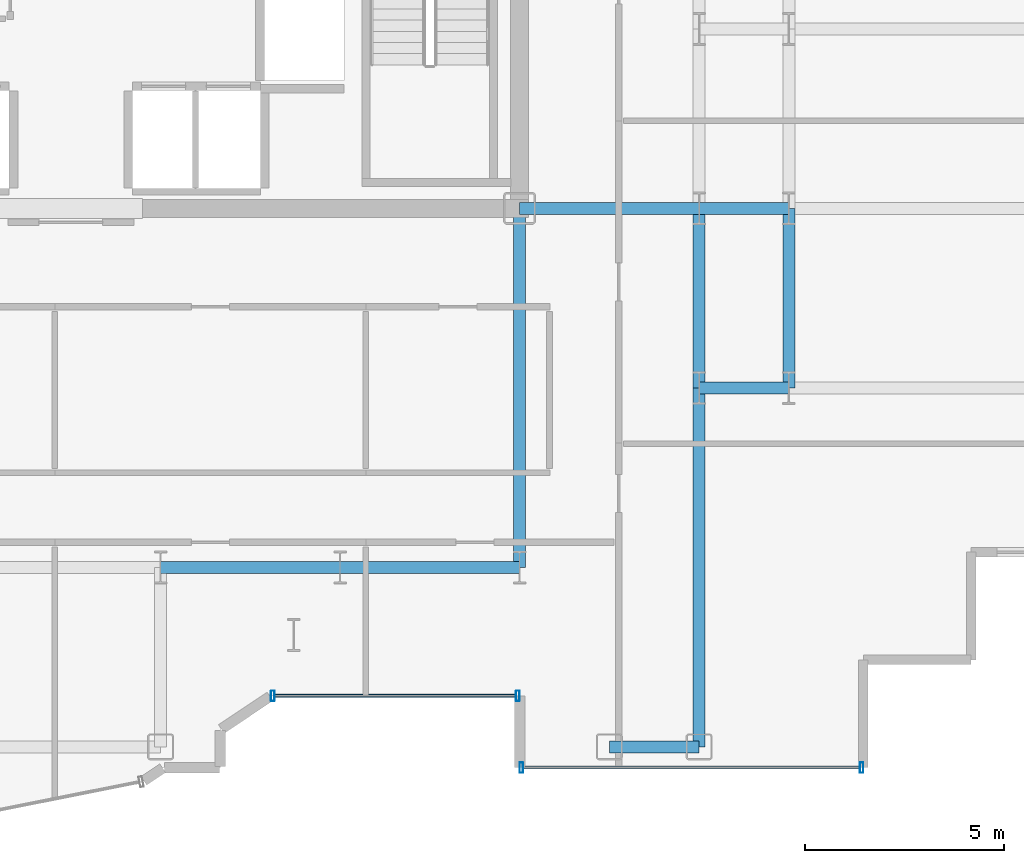
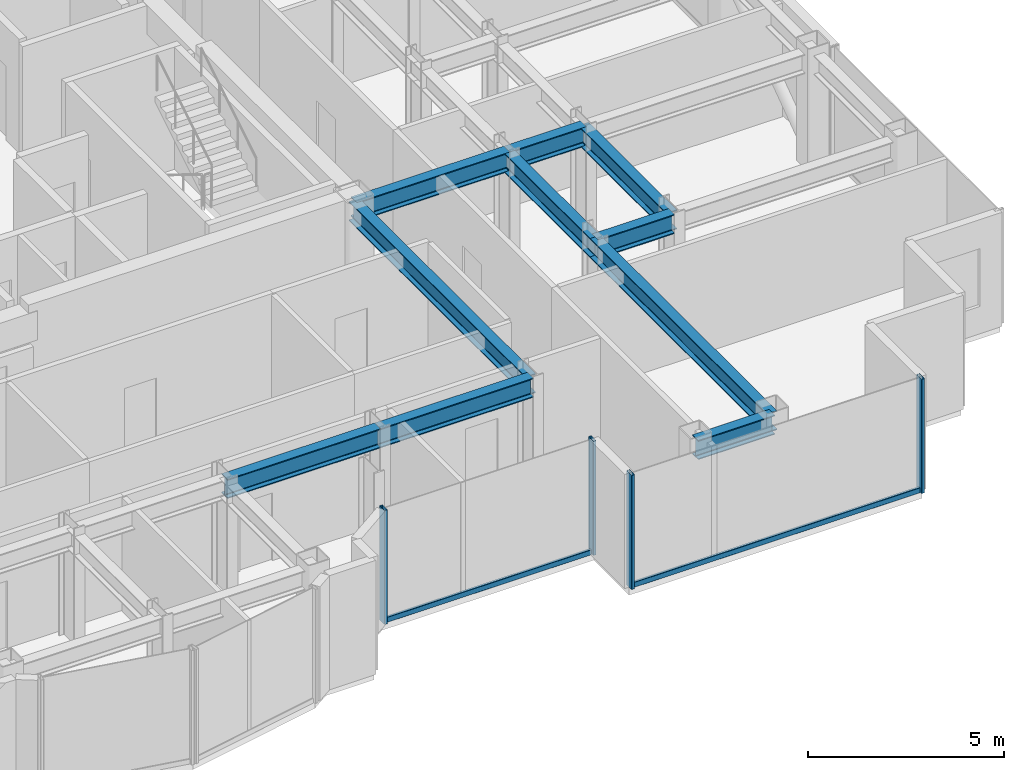
# One storey, part 5 of 21: 10 beams, 6 members, 2 elements without a shape of their own.
"""IFC4 building model written with IfcOpenShell, lengths in metres."""

from ifc_helpers import new_model, si_unit, direction, frame, origin, origin_2d, place, context, subcontext, project, spatial, hollow_rectangle, i_section, extrude, source, transform, mapped, material, layer, layer_set, material_profile, profile_set, type_object, element, aggregate, save


model = new_model("IFC4")

# Units and contexts
model_context = context("Model", 3, precision=1e-05, world=origin(), true_north=direction((0.0, 1.0)))
body_context = subcontext(model_context, "Body", "Model", "MODEL_VIEW")
ifc_project = project(units=[si_unit("LENGTHUNIT", "METRE"), si_unit("AREAUNIT", "SQUARE_METRE"), si_unit("VOLUMEUNIT", "CUBIC_METRE"), si_unit("PLANEANGLEUNIT", "RADIAN"), si_unit("MASSUNIT", "GRAM", prefix="KILO")], contexts=[model_context])

# Site, building, storey
site_placement = place(None, origin())
site = spatial("IfcSite", under=ifc_project, at=site_placement, CompositionType="ELEMENT")
building_placement = place(site_placement, origin())
building = spatial("IfcBuilding", under=site, at=building_placement, Name="Nefas-Gora Pilgrimage Tower", CompositionType="ELEMENT")
storey_placement = place(building_placement, frame((0.0, 0.0, 206.60009765625)))
storey = spatial("IfcBuildingStorey", under=building, at=storey_placement, Name="L51", CompositionType="ELEMENT", Elevation=206.60009765625)

# Beams
ifc_material_1 = material(Name="Steel S355", Category="steel")
ifc_material_profile_1 = material_profile(ifc_material_1, i_section(OverallWidth=0.300048828125, OverallDepth=0.60009765625, WebThickness=0.015380859375, FlangeThickness=0.030029296875, FilletRadius=0.027099609375, at=origin_2d()), Name="HEB 600")
ifc_profile_set_1 = profile_set([ifc_material_profile_1], Name="Steel S355")
beam_type_1 = type_object("IfcBeamType", Name="BM-GIR-HEB600", PredefinedType="BEAM", material=ifc_profile_set_1)
shared_shape_1 = source(origin(), body_context, "Body", "SweptSolid", [
    extrude(i_section(OverallWidth=0.300048828125, OverallDepth=0.60009765625, WebThickness=0.015380859375, FlangeThickness=0.030029296875, FilletRadius=0.027099609375, at=origin_2d()), origin(), (0.0, 0.0, 1.0), 9.0),
])
for number, where, z_axis, x_axis, name in (
    (1, (11.25, -18.0, 3.25), (0.0, 1.0, 0.0), (-1.0, 0.0, 0.0), "L51 G-04 beam"),
    (2, (15.75, -22.5, 3.25), (0.0, 1.0, 0.0), (-1.0, 0.0, 0.0), "L51 G-04 beam"),
):
    element("IfcBeam", number, at=place(storey_placement, frame(where, z_axis=z_axis, x_axis=x_axis)), inside=storey, type_object=beam_type_1, Name=name, PredefinedType="BEAM", context=body_context, shape_type="MappedRepresentation", body=[
        mapped(shared_shape_1, transform((0.0, 0.0, 0.0), x_axis=(1.0, 0.0, 0.0), y_axis=(0.0, 1.0, 0.0), z_axis=(0.0, 0.0, 1.0), scale=1.0)),
    ])
shared_shape_2 = source(origin(), body_context, "Body", "SweptSolid", [
    extrude(i_section(OverallWidth=0.300048828125, OverallDepth=0.60009765625, WebThickness=0.015380859375, FlangeThickness=0.030029296875, FilletRadius=0.027099609375, at=origin_2d()), origin(), (0.0, 0.0, 1.0), 4.5),
])
for number, where, z_axis, x_axis, name in (
    (3, (2.25, -18.0, 3.25), (1.0, 0.0, 0.0), (0.0, 1.0, 0.0), "L51 G-04 beam"),
    (4, (6.75, -18.0, 3.25), (1.0, 0.0, 0.0), (0.0, 1.0, 0.0), "L51 G-04 beam"),
    (5, (11.25, -9.0, 3.25), (1.0, 0.0, 0.0), (0.0, 1.0, 0.0), "L51 G-04 beam"),
    (6, (15.75, -13.5, 3.25), (0.0, 1.0, 0.0), (-1.0, 0.0, 0.0), "L51 G-04 beam"),
    (7, (18.0, -13.5, 3.25), (0.0, 1.0, 0.0), (-1.0, 0.0, 0.0), "L51 G-04 beam"),
):
    element("IfcBeam", number, at=place(storey_placement, frame(where, z_axis=z_axis, x_axis=x_axis)), inside=storey, type_object=beam_type_1, Name=name, PredefinedType="BEAM", context=body_context, shape_type="MappedRepresentation", body=[
        mapped(shared_shape_2, transform((0.0, 0.0, 0.0), x_axis=(1.0, 0.0, 0.0), y_axis=(0.0, 1.0, 0.0), z_axis=(0.0, 0.0, 1.0), scale=1.0)),
    ])
ifc_material_profile_2 = material_profile(ifc_material_1, i_section(OverallWidth=0.300048828125, OverallDepth=0.60009765625, WebThickness=0.015380859375, FlangeThickness=0.030029296875, FilletRadius=0.027099609375, at=origin_2d()), Name="HEB 600")
ifc_profile_set_2 = profile_set([ifc_material_profile_2], Name="Steel S355")
beam_type_2 = type_object("IfcBeamType", Name="BM-SPN-HEB450", PredefinedType="SPANDREL", material=ifc_profile_set_2)
shared_shape_3 = source(origin(), body_context, "Body", "SweptSolid", [
    extrude(i_section(OverallWidth=0.300048828125, OverallDepth=0.60009765625, WebThickness=0.015380859375, FlangeThickness=0.030029296875, FilletRadius=0.027099609375, at=origin_2d()), origin(), (0.0, 0.0, 1.0), 2.25),
])
beam_placement = place(storey_placement, frame((13.5, -22.5, 3.25), z_axis=(1.0, 0.0, 0.0), x_axis=(0.0, 1.0, 0.0)))
element("IfcBeam", 8, at=beam_placement, inside=storey, type_object=beam_type_2, Name="L51 SP-03 beam", PredefinedType="SPANDREL", context=body_context, shape_type="MappedRepresentation", body=[
    mapped(shared_shape_3, transform((0.0, 0.0, 0.0), x_axis=(1.0, 0.0, 0.0), y_axis=(0.0, 1.0, 0.0), z_axis=(0.0, 0.0, 1.0), scale=1.0)),
])
shared_shape_4 = source(origin(), body_context, "Body", "SweptSolid", [
    extrude(i_section(OverallWidth=0.300048828125, OverallDepth=0.60009765625, WebThickness=0.015380859375, FlangeThickness=0.030029296875, FilletRadius=0.027099609375, at=origin_2d()), origin(), (0.0, 0.0, 1.0), 2.25),
])
for number, where, z_axis, x_axis, name in (
    (9, (15.75, -13.5, 3.25), (1.0, 0.0, 0.0), (0.0, 1.0, 0.0), "L51 G-04 beam"),
    (10, (15.75, -9.0, 3.25), (1.0, 0.0, 0.0), (0.0, 1.0, 0.0), "L51 G-04 beam"),
):
    element("IfcBeam", number, at=place(storey_placement, frame(where, z_axis=z_axis, x_axis=x_axis)), inside=storey, type_object=beam_type_1, Name=name, PredefinedType="BEAM", context=body_context, shape_type="MappedRepresentation", body=[
        mapped(shared_shape_4, transform((0.0, 0.0, 0.0), x_axis=(1.0, 0.0, 0.0), y_axis=(0.0, 1.0, 0.0), z_axis=(0.0, 0.0, 1.0), scale=1.0)),
    ])

# Curtain wall, members
ifc_material_2 = material(Name="Dark ceramic-fritted solar-control aluminium-glass curtain wall", Category="aluminium")
ifc_layer_1 = layer(ifc_material_2, 0.219970703125)
ifc_layer_set_1 = layer_set([ifc_layer_1], Name="Dark ceramic-fritted solar-control aluminium-glass curtain wall")
curtain_wall_type_1 = type_object("IfcCurtainWallType", Name="CW-SYS-5", PredefinedType="NOTDEFINED", material=ifc_layer_set_1)
curtain_wall_1_placement = place(storey_placement, origin())
curtain_wall_1 = element("IfcCurtainWall", 11, at=curtain_wall_1_placement, inside=storey, type_object=curtain_wall_type_1, Name="L51 Unitised Curtain Wall CW5", PredefinedType="NOTDEFINED")
ifc_material_3 = material(Name="Anodised architectural aluminium", Category="aluminium")
ifc_material_profile_3 = material_profile(ifc_material_3, hollow_rectangle(XDim=0.080078125, YDim=0.159912109375, WallThickness=0.00439453125, InnerFilletRadius=0.00439453125, OuterFilletRadius=0.009033203125, at=origin_2d()), Name="ALU TRANSOM 80x160")
ifc_profile_set_3 = profile_set([ifc_material_profile_3], Name="Anodised architectural aluminium")
member_type_1 = type_object("IfcMemberType", Name="CWM-TRN-5", PredefinedType="USERDEFINED", material=ifc_profile_set_3)
shared_shape_5 = source(origin(), body_context, "Body", "SweptSolid", [
    extrude(hollow_rectangle(XDim=0.080078125, YDim=0.159912109375, WallThickness=0.00439453125, InnerFilletRadius=0.00439453125, OuterFilletRadius=0.009033203125, at=origin_2d()), origin(), (0.0, 0.0, 1.0), 6.052001953125),
])
member_1_placement = place(storey_placement, frame((5.10791015625, -21.219970703125, 0.0498046875), z_axis=(1.0, 0.0, 0.0), x_axis=(0.0, 1.0, 0.0)))
member_1 = element("IfcMember", 12, at=member_1_placement, type_object=member_type_1, Name="CW5 Spandrel Transom", ObjectType="TRANSOM", PredefinedType="USERDEFINED", context=body_context, shape_type="MappedRepresentation", body=[
    mapped(shared_shape_5, transform((0.0, 0.0, 0.0), x_axis=(1.0, 0.0, 0.0), y_axis=(0.0, 1.0, 0.0), z_axis=(0.0, 0.0, 1.0), scale=1.0)),
])
ifc_material_profile_4 = material_profile(ifc_material_3, hollow_rectangle(XDim=0.090087890625, YDim=0.260009765625, WallThickness=0.006103515625, InnerFilletRadius=0.006103515625, OuterFilletRadius=0.011962890625, at=origin_2d()), Name="ALU MULLION 90x260")
ifc_profile_set_4 = profile_set([ifc_material_profile_4], Name="Anodised architectural aluminium")
member_type_2 = type_object("IfcMemberType", Name="CWM-MUL-5", PredefinedType="MULLION", material=ifc_profile_set_4)
shared_shape_6 = source(origin(), body_context, "Body", "SweptSolid", [
    extrude(hollow_rectangle(XDim=0.090087890625, YDim=0.260009765625, WallThickness=0.006103515625, InnerFilletRadius=0.006103515625, OuterFilletRadius=0.011962890625, at=origin_2d()), origin(), (0.0, 0.0, 1.0), 3.5498046875),
])
member_2_placement = place(storey_placement, frame((5.06298828125, -21.219970703125, 0.0), z_axis=(0.0, 0.0, 1.0), x_axis=(1.0, 0.0, 0.0)))
member_2 = element("IfcMember", 13, at=member_2_placement, type_object=member_type_2, Name="CW5 Mullion 1", PredefinedType="MULLION", context=body_context, shape_type="MappedRepresentation", body=[
    mapped(shared_shape_6, transform((0.0, 0.0, 0.0), x_axis=(1.0, 0.0, 0.0), y_axis=(0.0, 1.0, 0.0), z_axis=(0.0, 0.0, 1.0), scale=1.0)),
])
member_3_placement = place(storey_placement, frame((11.205078125, -21.219970703125, 0.0), z_axis=(0.0, 0.0, 1.0), x_axis=(1.0, 0.0, 0.0)))
member_3 = element("IfcMember", 14, at=member_3_placement, type_object=member_type_2, Name="CW5 Mullion 2", PredefinedType="MULLION", context=body_context, shape_type="MappedRepresentation", body=[
    mapped(shared_shape_6, transform((0.0, 0.0, 0.0), x_axis=(1.0, 0.0, 0.0), y_axis=(0.0, 1.0, 0.0), z_axis=(0.0, 0.0, 1.0), scale=1.0)),
])
aggregate(curtain_wall_1, [member_2, member_3, member_1])

ifc_layer_2 = layer(ifc_material_2, 0.219970703125)
ifc_layer_set_2 = layer_set([ifc_layer_2], Name="Dark ceramic-fritted solar-control aluminium-glass curtain wall")
curtain_wall_type_2 = type_object("IfcCurtainWallType", Name="CW-SYS-3", PredefinedType="NOTDEFINED", material=ifc_layer_set_2)
curtain_wall_2_placement = place(storey_placement, origin())
curtain_wall_2 = element("IfcCurtainWall", 15, at=curtain_wall_2_placement, inside=storey, type_object=curtain_wall_type_2, Name="L51 Unitised Curtain Wall CW3", PredefinedType="NOTDEFINED")
ifc_material_profile_5 = material_profile(ifc_material_3, hollow_rectangle(XDim=0.080078125, YDim=0.159912109375, WallThickness=0.00439453125, InnerFilletRadius=0.00439453125, OuterFilletRadius=0.009033203125, at=origin_2d()), Name="ALU TRANSOM 80x160")
ifc_profile_set_5 = profile_set([ifc_material_profile_5], Name="Anodised architectural aluminium")
member_type_3 = type_object("IfcMemberType", Name="CWM-TRN-3", PredefinedType="USERDEFINED", material=ifc_profile_set_5)
shared_shape_7 = source(origin(), body_context, "Body", "SweptSolid", [
    extrude(hollow_rectangle(XDim=0.080078125, YDim=0.159912109375, WallThickness=0.00439453125, InnerFilletRadius=0.00439453125, OuterFilletRadius=0.009033203125, at=origin_2d()), origin(), (0.0, 0.0, 1.0), 8.43994140625),
])
member_4_placement = place(storey_placement, frame((11.340087890625, -23.02001953125, 0.0498046875), z_axis=(1.0, 0.0, 0.0), x_axis=(0.0, 1.0, 0.0)))
member_4 = element("IfcMember", 16, at=member_4_placement, type_object=member_type_3, Name="CW3 Spandrel Transom", ObjectType="TRANSOM", PredefinedType="USERDEFINED", context=body_context, shape_type="MappedRepresentation", body=[
    mapped(shared_shape_7, transform((0.0, 0.0, 0.0), x_axis=(1.0, 0.0, 0.0), y_axis=(0.0, 1.0, 0.0), z_axis=(0.0, 0.0, 1.0), scale=1.0)),
])
ifc_material_profile_6 = material_profile(ifc_material_3, hollow_rectangle(XDim=0.090087890625, YDim=0.260009765625, WallThickness=0.006103515625, InnerFilletRadius=0.006103515625, OuterFilletRadius=0.011962890625, at=origin_2d()), Name="ALU MULLION 90x260")
ifc_profile_set_6 = profile_set([ifc_material_profile_6], Name="Anodised architectural aluminium")
member_type_4 = type_object("IfcMemberType", Name="CWM-MUL-3", PredefinedType="MULLION", material=ifc_profile_set_6)
shared_shape_8 = source(origin(), body_context, "Body", "SweptSolid", [
    extrude(hollow_rectangle(XDim=0.090087890625, YDim=0.260009765625, WallThickness=0.006103515625, InnerFilletRadius=0.006103515625, OuterFilletRadius=0.011962890625, at=origin_2d()), origin(), (0.0, 0.0, 1.0), 3.5498046875),
])
member_5_placement = place(storey_placement, frame((11.294921875, -23.02001953125, 0.0), z_axis=(0.0, 0.0, 1.0), x_axis=(1.0, 0.0, 0.0)))
member_5 = element("IfcMember", 17, at=member_5_placement, type_object=member_type_4, Name="CW3 Mullion 1", PredefinedType="MULLION", context=body_context, shape_type="MappedRepresentation", body=[
    mapped(shared_shape_8, transform((0.0, 0.0, 0.0), x_axis=(1.0, 0.0, 0.0), y_axis=(0.0, 1.0, 0.0), z_axis=(0.0, 0.0, 1.0), scale=1.0)),
])
member_6_placement = place(storey_placement, frame((19.824951171875, -23.02001953125, 0.0), z_axis=(0.0, 0.0, 1.0), x_axis=(1.0, 0.0, 0.0)))
member_6 = element("IfcMember", 18, at=member_6_placement, type_object=member_type_4, Name="CW3 Mullion 2", PredefinedType="MULLION", context=body_context, shape_type="MappedRepresentation", body=[
    mapped(shared_shape_8, transform((0.0, 0.0, 0.0), x_axis=(1.0, 0.0, 0.0), y_axis=(0.0, 1.0, 0.0), z_axis=(0.0, 0.0, 1.0), scale=1.0)),
])
aggregate(curtain_wall_2, [member_5, member_6, member_4])

save(model, "model.ifc")
